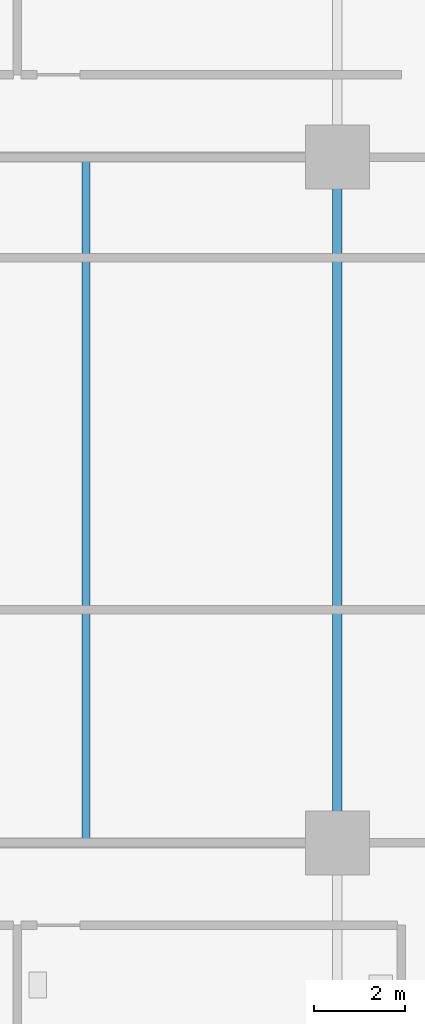
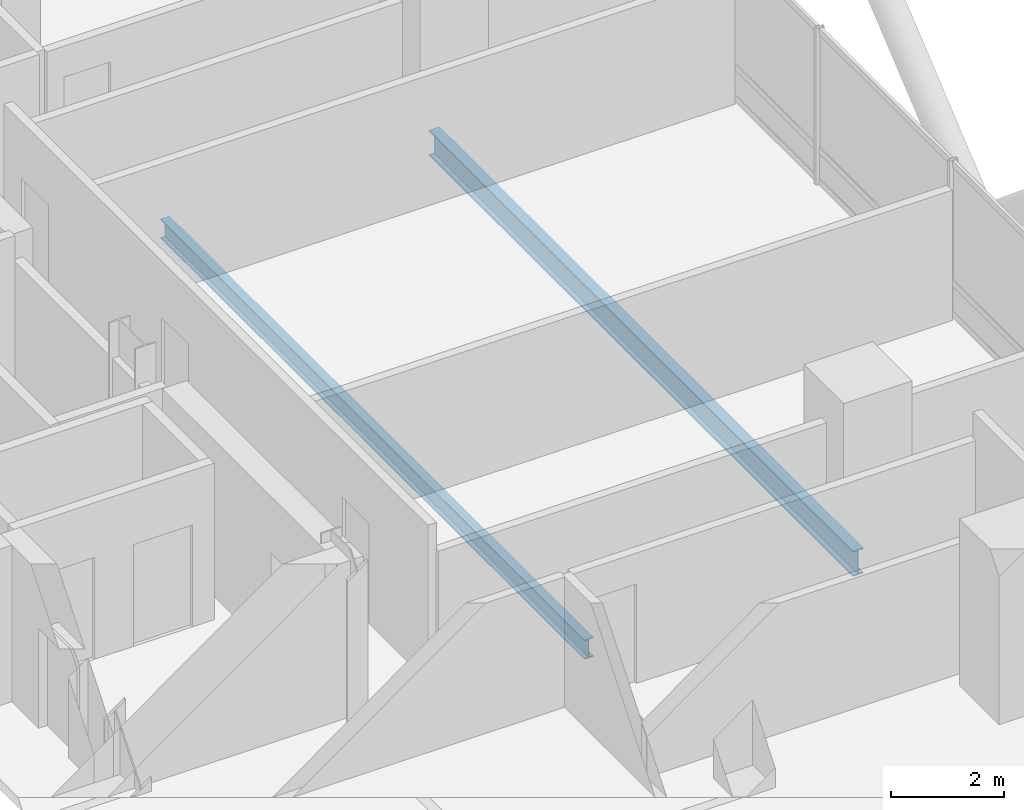
# One storey, part 11 of 26: 2 beams.
"""IFC4 building model written with IfcOpenShell, lengths in metres."""

from ifc_helpers import new_model, si_unit, direction, frame, origin, origin_2d, place, context, subcontext, project, spatial, i_section, extrude, material, material_profile, profile_set, type_object, element, save


model = new_model("IFC4")

# Units and contexts
model_context = context("Model", 3, precision=1e-05, world=origin(), true_north=direction((0.0, 1.0)))
body_context = subcontext(model_context, "Body", "Model", "MODEL_VIEW")
ifc_project = project(units=[si_unit("LENGTHUNIT", "METRE"), si_unit("AREAUNIT", "SQUARE_METRE"), si_unit("VOLUMEUNIT", "CUBIC_METRE"), si_unit("PLANEANGLEUNIT", "RADIAN"), si_unit("MASSUNIT", "GRAM", prefix="KILO")], contexts=[model_context])

# Site, building, storey
site_placement = place(None, origin())
site = spatial("IfcSite", under=ifc_project, at=site_placement, CompositionType="ELEMENT")
building_placement = place(site_placement, origin())
building = spatial("IfcBuilding", under=site, at=building_placement, Name="Barlavira Tower and Art Museum", CompositionType="ELEMENT")
storey_placement = place(building_placement, frame((0.0, 0.0, 82.800048828125)))
storey = spatial("IfcBuildingStorey", under=building, at=storey_placement, Name="L20", CompositionType="ELEMENT", Elevation=82.800048828125)

# Beams
ifc_material = material(Name="Steel S355", Category="steel")
ifc_material_profile_1 = material_profile(ifc_material, i_section(OverallWidth=0.180908203125, OverallDepth=0.4169921875, WebThickness=0.010986328125, FlangeThickness=0.018310546875, at=origin_2d()), Name="W410x85.0")
ifc_profile_set_1 = profile_set([ifc_material_profile_1], Name="Steel S355")
beam_type_1 = type_object("IfcBeamType", Name="Zone 1 Composite Floor Joist W410x85 Steel S355", PredefinedType="JOIST", material=ifc_profile_set_1)
beam_1_placement = place(storey_placement, frame((11.5, -7.5, -0.428466796875), z_axis=(0.0, 1.0, 0.0), x_axis=(-1.0, 0.0, 0.0)))
element("IfcBeam", 1, at=beam_1_placement, inside=storey, type_object=beam_type_1, Name="L20 Joist W2", PredefinedType="JOIST", context=body_context, shape_type="SweptSolid", body=[
    extrude(i_section(OverallWidth=0.180908203125, OverallDepth=0.4169921875, WebThickness=0.010986328125, FlangeThickness=0.018310546875, at=origin_2d()), origin(), (0.0, 0.0, 1.0), 15.0),
])
ifc_material_profile_2 = material_profile(ifc_material, i_section(OverallWidth=0.214111328125, OverallDepth=0.549072265625, WebThickness=0.0146484375, FlangeThickness=0.023681640625, at=origin_2d()), Name="W530x138.0")
ifc_profile_set_2 = profile_set([ifc_material_profile_2], Name="Steel S355")
beam_type_2 = type_object("IfcBeamType", Name="Zone 1 Primary Floor Girder W530x138 Steel S355", PredefinedType="BEAM", material=ifc_profile_set_2)
beam_2_placement = place(storey_placement, frame((17.0, -7.5, -0.49462890625), z_axis=(0.0, 1.0, 0.0), x_axis=(-1.0, 0.0, 0.0)))
element("IfcBeam", 2, at=beam_2_placement, inside=storey, type_object=beam_type_2, Name="L20 Girder M-E2", PredefinedType="BEAM", context=body_context, shape_type="SweptSolid", body=[
    extrude(i_section(OverallWidth=0.214111328125, OverallDepth=0.549072265625, WebThickness=0.0146484375, FlangeThickness=0.023681640625, at=origin_2d()), origin(), (0.0, 0.0, 1.0), 15.0),
])

save(model, "model.ifc")
